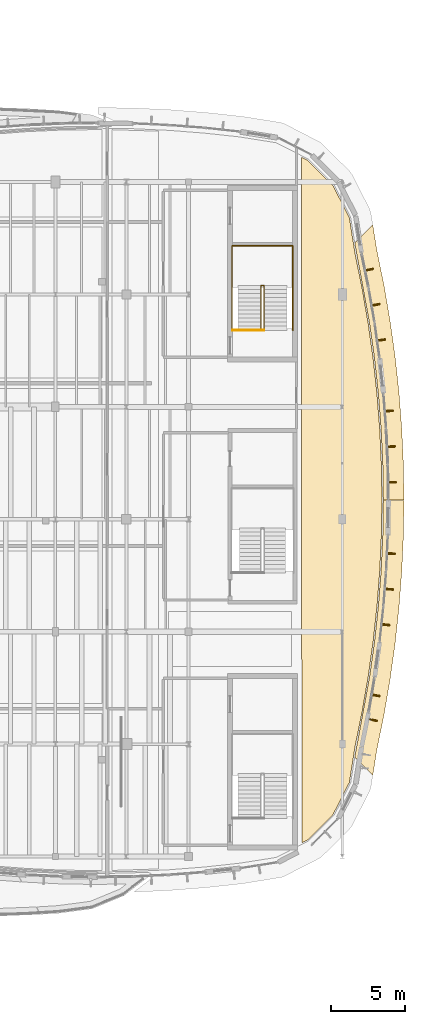
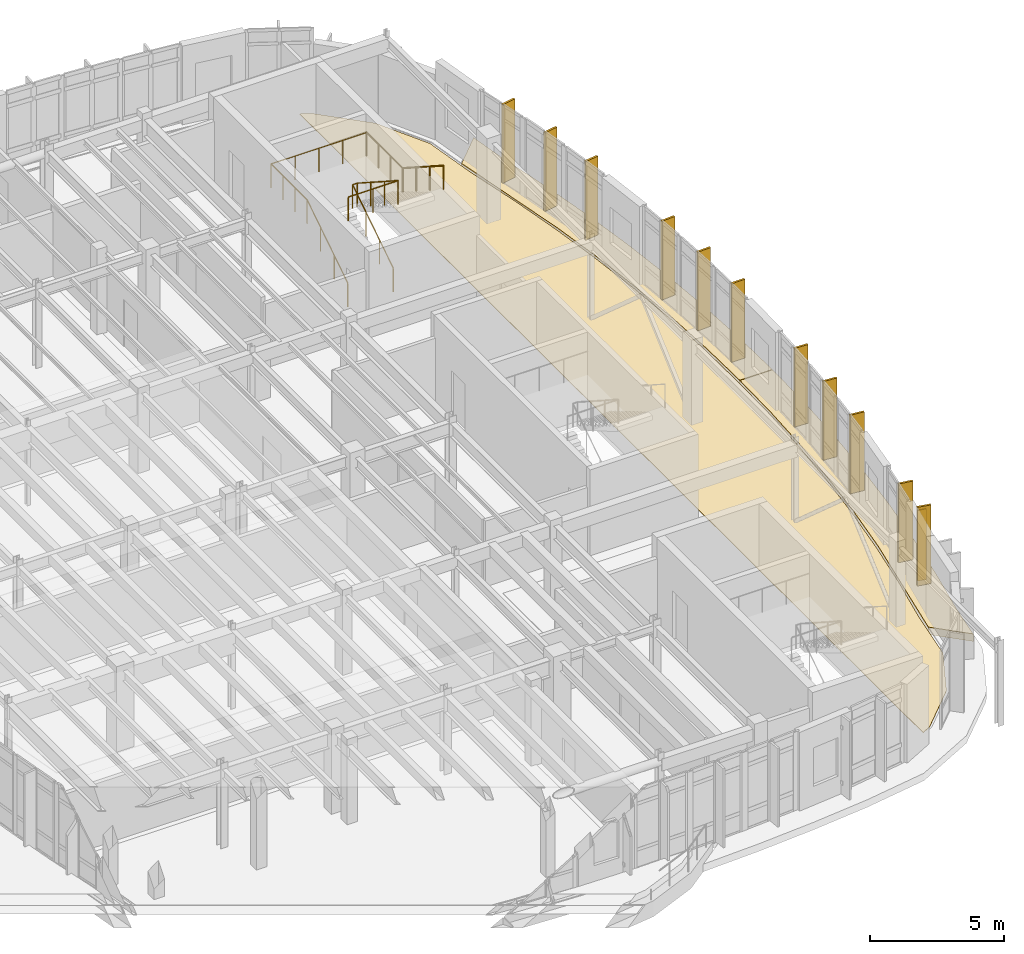
# One storey, part 110 of 111: 14 coverings, 3 railings, 1 shading device.
"""IFC4 building model written with IfcOpenShell, lengths in metres."""

from ifc_helpers import new_model, si_unit, direction, frame, origin, origin_2d, place, context, subcontext, project, spatial, polyline, rectangle, circle, outline, extrude, material, layer, layer_set, type_object, element, save


model = new_model("IFC4")

# Units and contexts
model_context = context("Model", 3, precision=1e-05, world=origin(), true_north=direction((0.0, 1.0)))
body_context = subcontext(model_context, "Body", "Model", "MODEL_VIEW")
ifc_project = project(units=[si_unit("LENGTHUNIT", "METRE"), si_unit("AREAUNIT", "SQUARE_METRE"), si_unit("VOLUMEUNIT", "CUBIC_METRE"), si_unit("PLANEANGLEUNIT", "RADIAN"), si_unit("MASSUNIT", "GRAM", prefix="KILO")], contexts=[model_context])

# Site, building, storey
site_placement = place(None, origin())
site = spatial("IfcSite", under=ifc_project, at=site_placement, CompositionType="ELEMENT")
building_placement = place(site_placement, origin())
building = spatial("IfcBuilding", under=site, at=building_placement, Name="Corveleigh Park Community Centre", CompositionType="ELEMENT")
storey_placement = place(building_placement, frame((0.0, 0.0, 4.800048828125)))
storey = spatial("IfcBuildingStorey", under=building, at=storey_placement, Name="L01", CompositionType="ELEMENT", Elevation=4.800048828125)

# Coverings
ifc_material_1 = material(Name="Warm buff ribbed architectural cladding", Category="masonry")
ifc_layer_1 = layer(ifc_material_1, 0.0849609375, Name="Warm buff ribbed architectural cladding", Category="masonry")
ifc_layer_set_1 = layer_set([ifc_layer_1], Name="Warm buff ribbed architectural cladding")
covering_type_1 = type_object("IfcCoveringType", Name="COV-CLD-BUF", PredefinedType="CLADDING", material=ifc_layer_set_1)
covering_1_placement = place(storey_placement, origin())
element("IfcCovering", 1, at=covering_1_placement, inside=storey, type_object=covering_type_1, Name="V4 L01 Brise-soleil blade 254", PredefinedType="CLADDING", context=body_context, shape_type="SweptSolid", body=[
    extrude(outline(polyline([(170.22998046875, 67.9208984375), (170.212890625, 67.8369140625), (170.737060546875, 67.72998046875), (170.75390625, 67.81396484375), (170.22998046875, 67.9208984375)])), origin(), (0.0, 0.0, 1.0), 3.612060546875),
])
covering_2_placement = place(storey_placement, origin())
element("IfcCovering", 2, at=covering_2_placement, inside=storey, type_object=covering_type_1, Name="V4 L01 Brise-soleil blade 255", PredefinedType="CLADDING", context=body_context, shape_type="SweptSolid", body=[
    extrude(outline(polyline([(170.3720703125, 69.5859375), (170.35791015625, 69.501953125), (170.929931640625, 69.404052734375), (170.944091796875, 69.488037109375), (170.3720703125, 69.5859375)])), origin(), (0.0, 0.0, 1.0), 3.612060546875),
])
covering_3_placement = place(storey_placement, origin())
element("IfcCovering", 3, at=covering_3_placement, inside=storey, type_object=covering_type_1, Name="V4 L01 Brise-soleil blade 256", PredefinedType="CLADDING", context=body_context, shape_type="SweptSolid", body=[
    extrude(outline(polyline([(171.0380859375, 74.345947265625), (171.029052734375, 74.261962890625), (171.60498046875, 74.198974609375), (171.614013671875, 74.283935546875), (171.0380859375, 74.345947265625)])), origin(), (0.0, 0.0, 1.0), 3.612060546875),
])
covering_4_placement = place(storey_placement, origin())
element("IfcCovering", 4, at=covering_4_placement, inside=storey, type_object=covering_type_1, Name="V4 L01 Brise-soleil blade 257", PredefinedType="CLADDING", context=body_context, shape_type="SweptSolid", body=[
    extrude(outline(polyline([(171.259033203125, 76.739013671875), (171.2529296875, 76.655029296875), (171.8310546875, 76.610107421875), (171.837890625, 76.695068359375), (171.259033203125, 76.739013671875)])), origin(), (0.0, 0.0, 1.0), 3.612060546875),
])
covering_5_placement = place(storey_placement, origin())
element("IfcCovering", 5, at=covering_5_placement, inside=storey, type_object=covering_type_1, Name="V4 L01 Brise-soleil blade 258", PredefinedType="CLADDING", context=body_context, shape_type="SweptSolid", body=[
    extrude(outline(polyline([(171.406982421875, 79.137939453125), (171.403076171875, 79.052978515625), (171.98193359375, 79.02587890625), (171.986083984375, 79.111083984375), (171.406982421875, 79.137939453125)])), origin(), (0.0, 0.0, 1.0), 3.612060546875),
])
covering_6_placement = place(storey_placement, origin())
element("IfcCovering", 6, at=covering_6_placement, inside=storey, type_object=covering_type_1, Name="V4 L01 Brise-soleil blade 259", PredefinedType="CLADDING", context=body_context, shape_type="SweptSolid", body=[
    extrude(outline(polyline([(171.47900390625, 83.944091796875), (171.47998046875, 83.85888671875), (172.06005859375, 83.867919921875), (172.05908203125, 83.952880859375), (171.47900390625, 83.944091796875)])), origin(), (0.0, 0.0, 1.0), 3.612060546875),
])
covering_7_placement = place(storey_placement, origin())
element("IfcCovering", 7, at=covering_7_placement, inside=storey, type_object=covering_type_1, Name="V4 L01 Brise-soleil blade 260", PredefinedType="CLADDING", context=body_context, shape_type="SweptSolid", body=[
    extrude(outline(polyline([(171.403076171875, 86.346923828125), (171.406982421875, 86.261962890625), (171.986083984375, 86.2890625), (171.98193359375, 86.3740234375), (171.403076171875, 86.346923828125)])), origin(), (0.0, 0.0, 1.0), 3.612060546875),
])
covering_8_placement = place(storey_placement, origin())
element("IfcCovering", 8, at=covering_8_placement, inside=storey, type_object=covering_type_1, Name="V4 L01 Brise-soleil blade 261", PredefinedType="CLADDING", context=body_context, shape_type="SweptSolid", body=[
    extrude(outline(polyline([(171.2529296875, 88.7451171875), (171.259033203125, 88.660888671875), (171.837890625, 88.705078125), (171.8310546875, 88.7900390625), (171.2529296875, 88.7451171875)])), origin(), (0.0, 0.0, 1.0), 3.612060546875),
])
covering_9_placement = place(storey_placement, origin())
element("IfcCovering", 9, at=covering_9_placement, inside=storey, type_object=covering_type_1, Name="V4 L01 Brise-soleil blade 262", PredefinedType="CLADDING", context=body_context, shape_type="SweptSolid", body=[
    extrude(outline(polyline([(170.72998046875, 93.52294921875), (170.741943359375, 93.43896484375), (171.31689453125, 93.52001953125), (171.304931640625, 93.60400390625), (170.72998046875, 93.52294921875)])), origin(), (0.0, 0.0, 1.0), 3.612060546875),
])
covering_10_placement = place(storey_placement, origin())
element("IfcCovering", 10, at=covering_10_placement, inside=storey, type_object=covering_type_1, Name="V4 L01 Brise-soleil blade 263", PredefinedType="CLADDING", context=body_context, shape_type="SweptSolid", body=[
    extrude(outline(polyline([(170.35791015625, 95.89794921875), (170.3720703125, 95.81396484375), (170.944091796875, 95.912109375), (170.929931640625, 95.99609375), (170.35791015625, 95.89794921875)])), origin(), (0.0, 0.0, 1.0), 3.612060546875),
])
covering_11_placement = place(storey_placement, origin())
element("IfcCovering", 11, at=covering_11_placement, inside=storey, type_object=covering_type_1, Name="V4 L01 Brise-soleil blade 264", PredefinedType="CLADDING", context=body_context, shape_type="SweptSolid", body=[
    extrude(outline(polyline([(169.912109375, 98.259033203125), (169.928955078125, 98.176025390625), (170.498046875, 98.2919921875), (170.48095703125, 98.375), (169.912109375, 98.259033203125)])), origin(), (0.0, 0.0, 1.0), 3.612060546875),
])
ifc_material_2 = material(Name="White architectural fascia cladding", Category="masonry")
ifc_layer_2 = layer(ifc_material_2, 0.074951171875, Name="White architectural fascia cladding", Category="masonry")
ifc_layer_set_2 = layer_set([ifc_layer_2], Name="White architectural fascia cladding")
covering_type_2 = type_object("IfcCoveringType", Name="COV-CLD-WHT", PredefinedType="CLADDING", material=ifc_layer_set_2)
covering_12_placement = place(storey_placement, frame((0.0, 0.0, -0.300048828125)))
element("IfcCovering", 12, at=covering_12_placement, inside=storey, type_object=covering_type_2, Name="V4 L01 Horizontal Sun-Hood 1", PredefinedType="CLADDING", context=body_context, shape_type="SweptSolid", body=[
    extrude(outline(polyline([(170.73291015625, 99.5869140625), (171.216064453125, 97.221923828125), (171.62890625, 94.821044921875), (171.962890625, 92.43896484375), (172.22705078125, 90.01708984375), (172.41796875, 87.554931640625), (172.531005859375, 85.1201171875), (172.568115234375, 82.7099609375), (171.16796875, 82.7099609375), (171.131103515625, 85.093017578125), (171.02001953125, 87.48388671875), (170.833984375, 89.87109375), (170.575927734375, 92.25), (170.242919921875, 94.62109375), (169.239013671875, 100.072021484375), (170.462890625, 101.294921875), (170.73291015625, 99.5869140625)])), origin(), (0.0, 0.0, 1.0), 0.340087890625),
])
covering_13_placement = place(storey_placement, frame((0.0, 0.0, -0.300048828125)))
element("IfcCovering", 13, at=covering_13_placement, inside=storey, type_object=covering_type_2, Name="V4 L01 Horizontal Sun-Hood 8", PredefinedType="CLADDING", context=body_context, shape_type="SweptSolid", body=[
    extrude(outline(polyline([(172.568115234375, 82.68408203125), (172.530029296875, 80.2470703125), (172.41796875, 77.844970703125), (172.22998046875, 75.416015625), (171.967041015625, 72.992919921875), (171.6240234375, 70.547119140625), (171.216064453125, 68.177978515625), (170.73291015625, 65.81298828125), (170.462890625, 64.10498046875), (169.239013671875, 65.327880859375), (170.242919921875, 70.779052734375), (170.575927734375, 73.14990234375), (170.833984375, 75.529052734375), (171.02001953125, 77.916015625), (171.131103515625, 80.306884765625), (171.16796875, 82.68994140625), (172.568115234375, 82.68408203125)])), origin(), (0.0, 0.0, 1.0), 0.340087890625),
])
ifc_material_3 = material(Name="Acoustic linoleum flooring", Category="wood")
ifc_layer_3 = layer(ifc_material_3, 0.02490234375, Name="Acoustic linoleum flooring", Category="wood")
ifc_layer_set_3 = layer_set([ifc_layer_3], Name="Acoustic linoleum flooring")
covering_type_3 = type_object("IfcCoveringType", Name="COV-FLR-LIN", PredefinedType="FLOORING", material=ifc_layer_set_3)
covering_14_placement = place(storey_placement, origin())
element("IfcCovering", 14, at=covering_14_placement, inside=storey, type_object=covering_type_3, Name="Parkside Community Assembly Forum flooring", PredefinedType="FLOORING", context=body_context, shape_type="SweptSolid", body=[
    extrude(outline(polyline([(165.659912109375, 59.52294921875), (165.639892578125, 105.886962890625), (166.05810546875, 105.674072265625), (167.77392578125, 103.9580078125), (168.875, 101.7958984375), (169.26611328125, 99.325927734375), (169.7490234375, 96.962890625), (170.154052734375, 94.60693359375), (170.486083984375, 92.239013671875), (170.7451171875, 89.862060546875), (170.929931640625, 87.47900390625), (171.041015625, 85.090087890625), (171.077880859375, 82.699951171875), (171.041015625, 80.31005859375), (170.929931640625, 77.9208984375), (170.7451171875, 75.5380859375), (170.486083984375, 73.160888671875), (170.154052734375, 70.79296875), (169.7490234375, 68.43701171875), (169.26611328125, 66.073974609375), (168.875, 63.60400390625), (167.77392578125, 61.44189453125), (166.05810546875, 59.72607421875), (165.659912109375, 59.52294921875)])), origin(), (0.0, 0.0, 1.0), 0.02490234375),
])

# Railings
ifc_material_4 = material(Name="Stainless steel 316 balustrade", Category="steel")
railing_type = type_object("IfcRailingType", Name="RLG-BAL-INT-1100", PredefinedType="BALUSTRADE", material=ifc_material_4)
railing_1_placement = place(storey_placement, frame((162.89990234375, 94.179931640625, 0.0)))
element("IfcRailing", 15, at=railing_1_placement, inside=storey, type_object=railing_type, Name="Stair ST2 inner guard L01", PredefinedType="BALUSTRADE", context=body_context, shape_type="SweptSolid", body=[
    extrude(circle(Radius=0.02392578125, at=origin_2d()), frame((0.0, 0.0, 1.076171875), z_axis=(0.0, 0.84051886652, 0.541782276402), x_axis=(-1.0, 0.0, 0.0)), (0.0, 0.0, 1.0), 3.59912109375),
    extrude(circle(Radius=0.02392578125, at=origin_2d()), frame((0.0, 3.025146484375, 3.02587890625), z_axis=(1.0, 0.0, 0.0), x_axis=(0.0, 1.0, 0.0)), (0.0, 0.0, 1.0), 0.2001953125),
    extrude(circle(Radius=0.02392578125, at=origin_2d()), frame((0.2001953125, 3.025146484375, 3.02587890625), z_axis=(0.0, -0.84051886652, 0.541782276402), x_axis=(1.0, 0.0, 0.0)), (0.0, 0.0, 1.0), 3.59912109375),
    extrude(circle(Radius=0.02099609375, at=origin_2d()), origin(), (0.0, 0.0, 1.0), 1.052001953125),
    extrude(circle(Radius=0.02099609375, at=origin_2d()), frame((0.0, 1.00830078125, 0.64990234375)), (0.0, 0.0, 1.0), 1.052001953125),
    extrude(circle(Radius=0.02099609375, at=origin_2d()), frame((0.0, 2.016845703125, 1.300048828125)), (0.0, 0.0, 1.0), 1.052001953125),
    extrude(circle(Radius=0.02099609375, at=origin_2d()), frame((0.0, 3.025146484375, 1.949951171875)), (0.0, 0.0, 1.0), 1.052001953125),
    extrude(circle(Radius=0.02099609375, at=origin_2d()), frame((0.2001953125, 3.025146484375, 1.949951171875)), (0.0, 0.0, 1.0), 1.052001953125),
    extrude(circle(Radius=0.02099609375, at=origin_2d()), frame((0.2001953125, 2.016845703125, 2.599853515625)), (0.0, 0.0, 1.0), 1.052001953125),
    extrude(circle(Radius=0.02099609375, at=origin_2d()), frame((0.2001953125, 1.00830078125, 3.25)), (0.0, 0.0, 1.0), 1.052001953125),
    extrude(circle(Radius=0.02099609375, at=origin_2d()), frame((0.2001953125, 0.0, 3.89990234375)), (0.0, 0.0, 1.0), 1.052001953125),
])
railing_2_placement = place(storey_placement, frame((160.967041015625, 94.179931640625, 3.89990234375)))
element("IfcRailing", 16, at=railing_2_placement, inside=storey, type_object=railing_type, Name="Stair ST2 landing guard L01", PredefinedType="BALUSTRADE", context=body_context, shape_type="SweptSolid", body=[
    extrude(circle(Radius=0.02392578125, at=origin_2d()), frame((0.0, 0.0, 1.076171875), z_axis=(1.0, 0.0, 0.0), x_axis=(0.0, 1.0, 0.0)), (0.0, 0.0, 1.0), 2.133056640625),
    extrude(circle(Radius=0.02099609375, at=origin_2d()), origin(), (0.0, 0.0, 1.0), 1.052001953125),
    extrude(circle(Radius=0.02099609375, at=origin_2d()), frame((1.06640625, 0.0, 0.0)), (0.0, 0.0, 1.0), 1.052001953125),
    extrude(circle(Radius=0.02099609375, at=origin_2d()), frame((2.133056640625, 0.0, 0.0)), (0.0, 0.0, 1.0), 1.052001953125),
])
railing_3_placement = place(storey_placement, frame((160.947021484375, 94.179931640625, 0.0)))
element("IfcRailing", 17, at=railing_3_placement, inside=storey, type_object=railing_type, Name="Stair ST2 perimeter guard L01", PredefinedType="BALUSTRADE", context=body_context, shape_type="SweptSolid", body=[
    extrude(circle(Radius=0.02392578125, at=origin_2d()), frame((0.0, 0.0, 1.076171875), z_axis=(0.0, 0.84051886652, 0.541782276402), x_axis=(-1.0, 0.0, 0.0)), (0.0, 0.0, 1.0), 3.59912109375),
    extrude(circle(Radius=0.02392578125, at=origin_2d()), frame((0.0, 3.025146484375, 3.02587890625), z_axis=(0.0, 1.0, 0.0), x_axis=(-1.0, 0.0, 0.0)), (0.0, 0.0, 1.0), 2.68798828125),
    extrude(circle(Radius=0.02392578125, at=origin_2d()), frame((0.0, 5.713134765625, 3.02587890625), z_axis=(1.0, 0.0, 0.0), x_axis=(0.0, 1.0, 0.0)), (0.0, 0.0, 1.0), 4.10595703125),
    extrude(circle(Radius=0.02392578125, at=origin_2d()), frame((4.10595703125, 5.713134765625, 3.02587890625), z_axis=(0.0, -1.0, 0.0), x_axis=(1.0, 0.0, 0.0)), (0.0, 0.0, 1.0), 2.68798828125),
    extrude(circle(Radius=0.02392578125, at=origin_2d()), frame((4.10595703125, 3.025146484375, 3.02587890625), z_axis=(0.0, -0.84051886652, 0.541782276402), x_axis=(1.0, 0.0, 0.0)), (0.0, 0.0, 1.0), 3.59912109375),
    extrude(circle(Radius=0.02099609375, at=origin_2d()), origin(), (0.0, 0.0, 1.0), 1.052001953125),
    extrude(circle(Radius=0.02099609375, at=origin_2d()), frame((0.0, 1.00830078125, 0.64990234375)), (0.0, 0.0, 1.0), 1.052001953125),
    extrude(circle(Radius=0.02099609375, at=origin_2d()), frame((0.0, 2.016845703125, 1.300048828125)), (0.0, 0.0, 1.0), 1.052001953125),
    extrude(circle(Radius=0.02099609375, at=origin_2d()), frame((0.0, 3.025146484375, 1.949951171875)), (0.0, 0.0, 1.0), 1.052001953125),
    extrude(circle(Radius=0.02099609375, at=origin_2d()), frame((0.0, 3.921142578125, 1.949951171875)), (0.0, 0.0, 1.0), 1.052001953125),
    extrude(circle(Radius=0.02099609375, at=origin_2d()), frame((0.0, 4.817138671875, 1.949951171875)), (0.0, 0.0, 1.0), 1.052001953125),
    extrude(circle(Radius=0.02099609375, at=origin_2d()), frame((0.0, 5.713134765625, 1.949951171875)), (0.0, 0.0, 1.0), 1.052001953125),
    extrude(circle(Radius=0.02099609375, at=origin_2d()), frame((1.0263671875, 5.713134765625, 1.949951171875)), (0.0, 0.0, 1.0), 1.052001953125),
    extrude(circle(Radius=0.02099609375, at=origin_2d()), frame((2.052978515625, 5.713134765625, 1.949951171875)), (0.0, 0.0, 1.0), 1.052001953125),
    extrude(circle(Radius=0.02099609375, at=origin_2d()), frame((3.07958984375, 5.713134765625, 1.949951171875)), (0.0, 0.0, 1.0), 1.052001953125),
    extrude(circle(Radius=0.02099609375, at=origin_2d()), frame((4.10595703125, 5.713134765625, 1.949951171875)), (0.0, 0.0, 1.0), 1.052001953125),
    extrude(circle(Radius=0.02099609375, at=origin_2d()), frame((4.10595703125, 4.817138671875, 1.949951171875)), (0.0, 0.0, 1.0), 1.052001953125),
    extrude(circle(Radius=0.02099609375, at=origin_2d()), frame((4.10595703125, 3.921142578125, 1.949951171875)), (0.0, 0.0, 1.0), 1.052001953125),
    extrude(circle(Radius=0.02099609375, at=origin_2d()), frame((4.10595703125, 3.025146484375, 1.949951171875)), (0.0, 0.0, 1.0), 1.052001953125),
    extrude(circle(Radius=0.02099609375, at=origin_2d()), frame((4.10595703125, 2.016845703125, 2.599853515625)), (0.0, 0.0, 1.0), 1.052001953125),
    extrude(circle(Radius=0.02099609375, at=origin_2d()), frame((4.10595703125, 1.00830078125, 3.25)), (0.0, 0.0, 1.0), 1.052001953125),
    extrude(circle(Radius=0.02099609375, at=origin_2d()), frame((4.10595703125, 0.0, 3.89990234375)), (0.0, 0.0, 1.0), 1.052001953125),
])

# Shading device
ifc_material_5 = material(Name="Terracotta-anodised aluminium fin", Category="masonry")
shading_device_type = type_object("IfcShadingDeviceType", Name="SHD-FIN-TER-350", PredefinedType="USERDEFINED", material=ifc_material_5)
shading_device_placement = place(storey_placement, frame((170.406982421875, 67.841064453125, 0.25), z_axis=(0.0, 0.0, 1.0), x_axis=(0.979799029422, -0.19998465427, 0.0)))
element("IfcShadingDevice", 18, at=shading_device_placement, inside=storey, type_object=shading_device_type, Name="Terracotta brise-soleil fin 49", ObjectType="FIN", PredefinedType="USERDEFINED", context=body_context, shape_type="SweptSolid", body=[
    extrude(rectangle(XDim=0.35009765625, YDim=0.06005859375, at=origin_2d()), origin(), (0.0, 0.0, 1.0), 3.2119140625),
])

save(model, "model.ifc")
